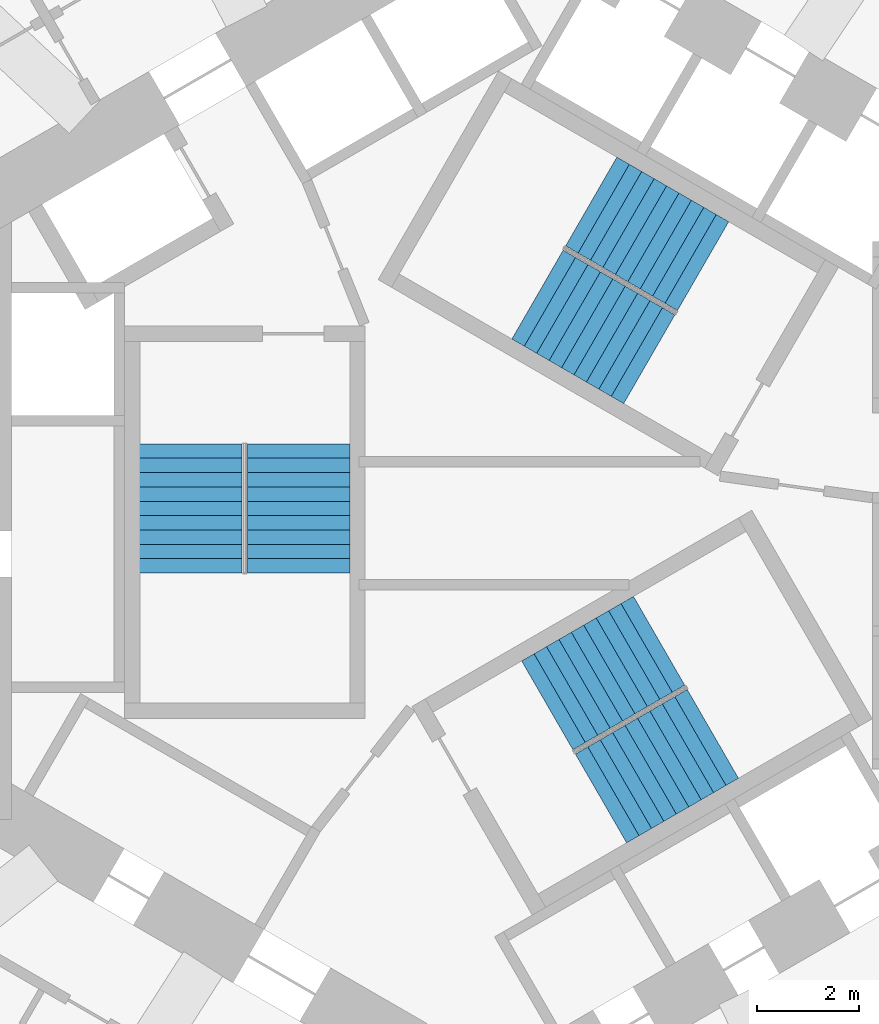
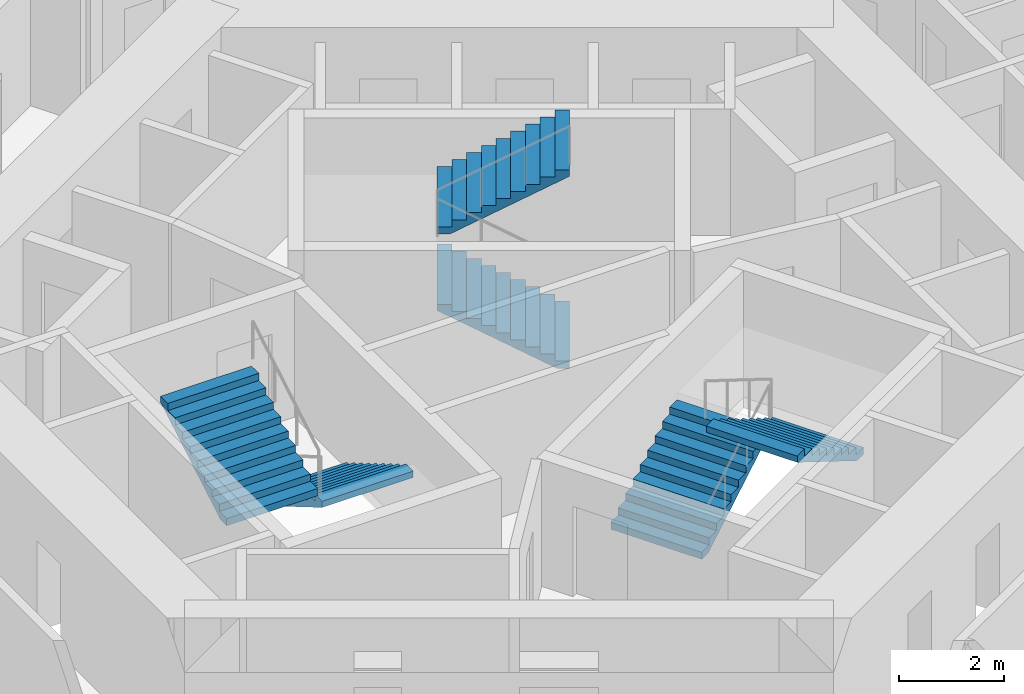
# One storey, part 10 of 12: 6 stair flights, 3 elements without a shape of their own.
"""IFC4 building model written with IfcOpenShell, lengths in metres."""

from ifc_helpers import new_model, si_unit, direction, frame, origin, place, context, subcontext, project, spatial, triangles, source, transform, mapped, material, type_object, element, aggregate, save


model = new_model("IFC4")

# Units and contexts
model_context = context("Model", 3, precision=1e-05, world=origin(), true_north=direction((0.0, 1.0)))
body_context = subcontext(model_context, "Body", "Model", "MODEL_VIEW")
ifc_project = project(units=[si_unit("LENGTHUNIT", "METRE"), si_unit("AREAUNIT", "SQUARE_METRE"), si_unit("VOLUMEUNIT", "CUBIC_METRE"), si_unit("PLANEANGLEUNIT", "RADIAN"), si_unit("MASSUNIT", "GRAM", prefix="KILO")], contexts=[model_context])

# Site, building, storey
site_placement = place(None, origin())
site = spatial("IfcSite", under=ifc_project, at=site_placement, CompositionType="ELEMENT")
building_placement = place(site_placement, origin())
building = spatial("IfcBuilding", under=site, at=building_placement, Name="Vanh Sen Convention Tower", CompositionType="ELEMENT")
storey_placement = place(building_placement, frame((0.0, 0.0, 73.699951171875)))
storey = spatial("IfcBuildingStorey", under=building, at=storey_placement, Name="L16", CompositionType="ELEMENT", Elevation=73.699951171875)

# Stair, stair flights
ifc_material_1 = material(Name="Concrete C50/60", Category="concrete")
stair_type_1 = type_object("IfcStairType", Name="Exit stair ST1 20 risers at 165.0", PredefinedType="HALF_TURN_STAIR", material=ifc_material_1)
stair_1_placement = place(storey_placement, origin())
stair_1 = element("IfcStair", 1, at=stair_1_placement, inside=storey, type_object=stair_type_1, Name="Exit stair ST1 L16", PredefinedType="HALF_TURN_STAIR")
ifc_material_2 = material(Name="Concrete C40/50", Category="concrete")
stair_flight_type = type_object("IfcStairFlightType", Name="Stair flight 2000", PredefinedType="STRAIGHT", material=ifc_material_2)
shared_shape = source(origin(), body_context, "Body", "Tessellation", [
    triangles([(0.24609375, 1.0, 0.0), (0.0, 1.0, 0.0), (0.0, 1.0, 0.1650390625), (0.280029296875, 1.0, 0.1650390625), (0.280029296875, 1.0, 0.330078125), (0.56005859375, 1.0, 0.330078125), (0.56005859375, 1.0, 0.4951171875), (0.840087890625, 1.0, 0.4951171875), (0.840087890625, 1.0, 0.659912109375), (1.1201171875, 1.0, 0.659912109375), (1.1201171875, 1.0, 0.824951171875), (1.39990234375, 1.0, 0.824951171875), (1.39990234375, 1.0, 0.989990234375), (1.679931640625, 1.0, 0.989990234375), (1.679931640625, 1.0, 1.155029296875), (1.9599609375, 1.0, 1.155029296875), (1.9599609375, 1.0, 1.320068359375), (2.239990234375, 1.0, 1.320068359375), (2.239990234375, 1.0, 1.485107421875), (2.52001953125, 1.0, 1.485107421875), (2.52001953125, 1.0, 1.33984375), (0.24609375, -1.0, 0.0), (0.0, -1.0, 0.0), (0.0, -1.0, 0.1650390625), (0.280029296875, -1.0, 0.1650390625), (0.280029296875, -1.0, 0.330078125), (0.56005859375, -1.0, 0.330078125), (0.56005859375, -1.0, 0.4951171875), (0.840087890625, -1.0, 0.4951171875), (0.840087890625, -1.0, 0.659912109375), (1.1201171875, -1.0, 0.659912109375), (1.1201171875, -1.0, 0.824951171875), (1.39990234375, -1.0, 0.824951171875), (1.39990234375, -1.0, 0.989990234375), (1.679931640625, -1.0, 0.989990234375), (1.679931640625, -1.0, 1.155029296875), (1.9599609375, -1.0, 1.155029296875), (1.9599609375, -1.0, 1.320068359375), (2.239990234375, -1.0, 1.320068359375), (2.239990234375, -1.0, 1.485107421875), (2.52001953125, -1.0, 1.485107421875), (2.52001953125, -1.0, 1.33984375), (0.0, 0.0400390625, 0.0), (0.0, 0.0390625, 0.0), (0.0, 0.0380859375, 0.0), (0.0, 0.037109375, 0.0), (0.0, 0.035888671875, 0.0), (0.0, 0.034912109375, 0.0), (0.0, 0.033935546875, 0.0), (0.0, 0.032958984375, 0.0), (0.0, 0.031982421875, 0.0), (0.0, 0.031005859375, 0.0), (0.0, 0.030029296875, 0.0), (0.0, 0.029052734375, 0.0), (0.0, 0.028076171875, 0.0), (0.0, 0.027099609375, 0.0), (0.0, 0.02587890625, 0.0), (0.0, 0.02490234375, 0.0), (0.0, 0.02392578125, 0.0), (0.0, 0.02294921875, 0.0), (0.0, 0.02197265625, 0.0), (0.0, 0.02099609375, 0.0), (0.0, 0.02001953125, 0.0), (0.0, 0.01904296875, 0.0), (0.0, 0.01806640625, 0.0), (0.0, 0.01708984375, 0.0), (0.0, 0.01611328125, 0.0), (0.0, 0.014892578125, 0.0), (0.0, 0.013916015625, 0.0), (0.0, 0.012939453125, 0.0), (0.0, 0.011962890625, 0.0), (0.0, 0.010986328125, 0.0), (0.0, 0.010009765625, 0.0), (0.0, 0.009033203125, 0.0), (0.0, 0.008056640625, 0.0), (0.0, 0.007080078125, 0.0), (0.0, 0.006103515625, 0.0), (0.0, 0.0048828125, 0.0), (0.0, 0.00390625, 0.0), (0.0, 0.0029296875, 0.0), (0.0, 0.001953125, 0.0), (0.0, 0.0009765625, 0.0), (0.0, 0.0, 0.0), (0.0, -0.0009765625, 0.0), (0.0, -0.001953125, 0.0), (0.0, -0.0029296875, 0.0), (0.0, -0.00390625, 0.0), (0.0, -0.0048828125, 0.0), (0.0, -0.006103515625, 0.0), (0.0, -0.007080078125, 0.0), (0.0, -0.008056640625, 0.0), (0.0, -0.009033203125, 0.0), (0.0, -0.010009765625, 0.0), (0.0, -0.010986328125, 0.0), (0.0, -0.011962890625, 0.0), (0.0, -0.012939453125, 0.0), (0.0, -0.013916015625, 0.0), (0.0, -0.014892578125, 0.0), (0.0, -0.01611328125, 0.0), (0.0, -0.01708984375, 0.0), (0.0, -0.01806640625, 0.0), (0.0, -0.01904296875, 0.0), (0.0, -0.02001953125, 0.0), (0.0, -0.02099609375, 0.0), (0.0, -0.02197265625, 0.0), (0.0, -0.02294921875, 0.0), (0.0, -0.02392578125, 0.0), (0.0, -0.02490234375, 0.0), (0.0, -0.02587890625, 0.0), (0.0, -0.027099609375, 0.0), (0.0, -0.028076171875, 0.0), (0.0, -0.029052734375, 0.0), (0.0, -0.030029296875, 0.0), (0.0, -0.031005859375, 0.0), (0.0, -0.031982421875, 0.0), (0.0, -0.032958984375, 0.0), (0.0, -0.033935546875, 0.0), (0.0, -0.034912109375, 0.0), (0.0, -0.035888671875, 0.0), (0.0, -0.037109375, 0.0), (0.0, -0.0380859375, 0.0), (0.0, -0.0390625, 0.0), (0.0, -0.0400390625, 0.0), (0.0, 0.0400390625, 0.1650390625), (0.0, 0.0390625, 0.1650390625), (0.0, 0.0380859375, 0.1650390625), (0.0, 0.037109375, 0.1650390625), (0.0, 0.035888671875, 0.1650390625), (0.0, 0.034912109375, 0.1650390625), (0.0, 0.033935546875, 0.1650390625), (0.0, 0.032958984375, 0.1650390625), (0.0, 0.031982421875, 0.1650390625), (0.0, 0.031005859375, 0.1650390625), (0.0, 0.030029296875, 0.1650390625), (0.0, 0.029052734375, 0.1650390625), (0.0, 0.028076171875, 0.1650390625), (0.0, 0.027099609375, 0.1650390625), (0.0, 0.02587890625, 0.1650390625), (0.0, 0.02490234375, 0.1650390625), (0.0, 0.02392578125, 0.1650390625), (0.0, 0.02294921875, 0.1650390625), (0.0, 0.02197265625, 0.1650390625), (0.0, 0.02099609375, 0.1650390625), (0.0, 0.02001953125, 0.1650390625), (0.0, 0.01904296875, 0.1650390625), (0.0, 0.01806640625, 0.1650390625), (0.0, 0.01708984375, 0.1650390625), (0.0, 0.01611328125, 0.1650390625), (0.0, 0.014892578125, 0.1650390625), (0.0, 0.013916015625, 0.1650390625), (0.0, 0.012939453125, 0.1650390625), (0.0, 0.011962890625, 0.1650390625), (0.0, 0.010986328125, 0.1650390625), (0.0, 0.010009765625, 0.1650390625), (0.0, 0.009033203125, 0.1650390625), (0.0, 0.008056640625, 0.1650390625), (0.0, 0.007080078125, 0.1650390625), (0.0, 0.006103515625, 0.1650390625), (0.0, 0.0048828125, 0.1650390625), (0.0, 0.00390625, 0.1650390625), (0.0, 0.0029296875, 0.1650390625), (0.0, 0.001953125, 0.1650390625), (0.0, 0.0009765625, 0.1650390625), (0.0, 0.0, 0.1650390625), (0.0, -0.0009765625, 0.1650390625), (0.0, -0.001953125, 0.1650390625), (0.0, -0.0029296875, 0.1650390625), (0.0, -0.00390625, 0.1650390625), (0.0, -0.0048828125, 0.1650390625), (0.0, -0.006103515625, 0.1650390625), (0.0, -0.007080078125, 0.1650390625), (0.0, -0.008056640625, 0.1650390625), (0.0, -0.009033203125, 0.1650390625), (0.0, -0.010009765625, 0.1650390625), (0.0, -0.010986328125, 0.1650390625), (0.0, -0.011962890625, 0.1650390625), (0.0, -0.012939453125, 0.1650390625), (0.0, -0.013916015625, 0.1650390625), (0.0, -0.014892578125, 0.1650390625), (0.0, -0.01611328125, 0.1650390625), (0.0, -0.01708984375, 0.1650390625), (0.0, -0.01806640625, 0.1650390625), (0.0, -0.01904296875, 0.1650390625), (0.0, -0.02001953125, 0.1650390625), (0.0, -0.02099609375, 0.1650390625), (0.0, -0.02197265625, 0.1650390625), (0.0, -0.02294921875, 0.1650390625), (0.0, -0.02392578125, 0.1650390625), (0.0, -0.02490234375, 0.1650390625), (0.0, -0.02587890625, 0.1650390625), (0.0, -0.027099609375, 0.1650390625), (0.0, -0.028076171875, 0.1650390625), (0.0, -0.029052734375, 0.1650390625), (0.0, -0.030029296875, 0.1650390625), (0.0, -0.031005859375, 0.1650390625), (0.0, -0.031982421875, 0.1650390625), (0.0, -0.032958984375, 0.1650390625), (0.0, -0.033935546875, 0.1650390625), (0.0, -0.034912109375, 0.1650390625), (0.0, -0.035888671875, 0.1650390625), (0.0, -0.037109375, 0.1650390625), (0.0, -0.0380859375, 0.1650390625), (0.0, -0.0390625, 0.1650390625), (0.0, -0.0400390625, 0.1650390625), (0.280029296875, 0.0, 0.1650390625), (0.280029296875, 0.0, 0.330078125), (0.56005859375, 0.0, 0.330078125), (0.56005859375, 0.0, 0.4951171875), (0.840087890625, 0.0, 0.4951171875), (0.840087890625, 0.0, 0.659912109375), (1.1201171875, 0.0, 0.659912109375), (1.1201171875, 0.0, 0.824951171875), (1.39990234375, 0.0, 0.824951171875), (1.39990234375, 0.0, 0.989990234375), (1.679931640625, 0.0, 0.989990234375), (1.679931640625, 0.0, 1.155029296875), (1.9599609375, 0.0, 1.155029296875), (1.9599609375, 0.0, 1.320068359375), (2.239990234375, 0.0, 1.320068359375), (2.239990234375, 0.0, 1.485107421875), (2.52001953125, 0.0400390625, 1.485107421875), (2.52001953125, 0.0390625, 1.485107421875), (2.52001953125, 0.0380859375, 1.485107421875), (2.52001953125, 0.037109375, 1.485107421875), (2.52001953125, 0.035888671875, 1.485107421875), (2.52001953125, 0.034912109375, 1.485107421875), (2.52001953125, 0.033935546875, 1.485107421875), (2.52001953125, 0.032958984375, 1.485107421875), (2.52001953125, 0.031982421875, 1.485107421875), (2.52001953125, 0.031005859375, 1.485107421875), (2.52001953125, 0.030029296875, 1.485107421875), (2.52001953125, 0.029052734375, 1.485107421875), (2.52001953125, 0.028076171875, 1.485107421875), (2.52001953125, 0.027099609375, 1.485107421875), (2.52001953125, 0.02587890625, 1.485107421875), (2.52001953125, 0.02490234375, 1.485107421875), (2.52001953125, 0.02392578125, 1.485107421875), (2.52001953125, 0.02294921875, 1.485107421875), (2.52001953125, 0.02197265625, 1.485107421875), (2.52001953125, 0.02099609375, 1.485107421875), (2.52001953125, 0.02001953125, 1.485107421875), (2.52001953125, 0.01904296875, 1.485107421875), (2.52001953125, 0.01806640625, 1.485107421875), (2.52001953125, 0.01708984375, 1.485107421875), (2.52001953125, 0.01611328125, 1.485107421875), (2.52001953125, 0.014892578125, 1.485107421875), (2.52001953125, 0.013916015625, 1.485107421875), (2.52001953125, 0.012939453125, 1.485107421875), (2.52001953125, 0.011962890625, 1.485107421875), (2.52001953125, 0.010986328125, 1.485107421875), (2.52001953125, 0.010009765625, 1.485107421875), (2.52001953125, 0.009033203125, 1.485107421875), (2.52001953125, 0.008056640625, 1.485107421875), (2.52001953125, 0.007080078125, 1.485107421875), (2.52001953125, 0.006103515625, 1.485107421875), (2.52001953125, 0.0048828125, 1.485107421875), (2.52001953125, 0.00390625, 1.485107421875), (2.52001953125, 0.0029296875, 1.485107421875), (2.52001953125, 0.001953125, 1.485107421875), (2.52001953125, 0.0009765625, 1.485107421875), (2.52001953125, 0.0, 1.485107421875), (2.52001953125, -0.0009765625, 1.485107421875), (2.52001953125, -0.001953125, 1.485107421875), (2.52001953125, -0.0029296875, 1.485107421875), (2.52001953125, -0.00390625, 1.485107421875), (2.52001953125, -0.0048828125, 1.485107421875), (2.52001953125, -0.006103515625, 1.485107421875), (2.52001953125, -0.007080078125, 1.485107421875), (2.52001953125, -0.008056640625, 1.485107421875), (2.52001953125, -0.009033203125, 1.485107421875), (2.52001953125, -0.010009765625, 1.485107421875), (2.52001953125, -0.010986328125, 1.485107421875), (2.52001953125, -0.011962890625, 1.485107421875), (2.52001953125, -0.012939453125, 1.485107421875), (2.52001953125, -0.013916015625, 1.485107421875), (2.52001953125, -0.014892578125, 1.485107421875), (2.52001953125, -0.01611328125, 1.485107421875), (2.52001953125, -0.01708984375, 1.485107421875), (2.52001953125, -0.01806640625, 1.485107421875), (2.52001953125, -0.01904296875, 1.485107421875), (2.52001953125, -0.02001953125, 1.485107421875), (2.52001953125, -0.02099609375, 1.485107421875), (2.52001953125, -0.02197265625, 1.485107421875), (2.52001953125, -0.02294921875, 1.485107421875), (2.52001953125, -0.02392578125, 1.485107421875), (2.52001953125, -0.02490234375, 1.485107421875), (2.52001953125, -0.02587890625, 1.485107421875), (2.52001953125, -0.027099609375, 1.485107421875), (2.52001953125, -0.028076171875, 1.485107421875), (2.52001953125, -0.029052734375, 1.485107421875), (2.52001953125, -0.030029296875, 1.485107421875), (2.52001953125, -0.031005859375, 1.485107421875), (2.52001953125, -0.031982421875, 1.485107421875), (2.52001953125, -0.032958984375, 1.485107421875), (2.52001953125, -0.033935546875, 1.485107421875), (2.52001953125, -0.034912109375, 1.485107421875), (2.52001953125, -0.035888671875, 1.485107421875), (2.52001953125, -0.037109375, 1.485107421875), (2.52001953125, -0.0380859375, 1.485107421875), (2.52001953125, -0.0390625, 1.485107421875), (2.52001953125, -0.0400390625, 1.485107421875), (2.52001953125, 0.0400390625, 1.33984375), (2.52001953125, 0.0390625, 1.33984375), (2.52001953125, 0.0380859375, 1.33984375), (2.52001953125, 0.037109375, 1.33984375), (2.52001953125, 0.035888671875, 1.33984375), (2.52001953125, 0.034912109375, 1.33984375), (2.52001953125, 0.033935546875, 1.33984375), (2.52001953125, 0.032958984375, 1.33984375), (2.52001953125, 0.031982421875, 1.33984375), (2.52001953125, 0.031005859375, 1.33984375), (2.52001953125, 0.030029296875, 1.33984375), (2.52001953125, 0.029052734375, 1.33984375), (2.52001953125, 0.028076171875, 1.33984375), (2.52001953125, 0.027099609375, 1.33984375), (2.52001953125, 0.02587890625, 1.33984375), (2.52001953125, 0.02490234375, 1.33984375), (2.52001953125, 0.02392578125, 1.33984375), (2.52001953125, 0.02294921875, 1.33984375), (2.52001953125, 0.02197265625, 1.33984375), (2.52001953125, 0.02099609375, 1.33984375), (2.52001953125, 0.02001953125, 1.33984375), (2.52001953125, 0.01904296875, 1.33984375), (2.52001953125, 0.01806640625, 1.33984375), (2.52001953125, 0.01708984375, 1.33984375), (2.52001953125, 0.01611328125, 1.33984375), (2.52001953125, 0.014892578125, 1.33984375), (2.52001953125, 0.013916015625, 1.33984375), (2.52001953125, 0.012939453125, 1.33984375), (2.52001953125, 0.011962890625, 1.33984375), (2.52001953125, 0.010986328125, 1.33984375), (2.52001953125, 0.010009765625, 1.33984375), (2.52001953125, 0.009033203125, 1.33984375), (2.52001953125, 0.008056640625, 1.33984375), (2.52001953125, 0.007080078125, 1.33984375), (2.52001953125, 0.006103515625, 1.33984375), (2.52001953125, 0.0048828125, 1.33984375), (2.52001953125, 0.00390625, 1.33984375), (2.52001953125, 0.0029296875, 1.33984375), (2.52001953125, 0.001953125, 1.33984375), (2.52001953125, 0.0009765625, 1.33984375), (2.52001953125, 0.0, 1.33984375), (2.52001953125, -0.0009765625, 1.33984375), (2.52001953125, -0.001953125, 1.33984375), (2.52001953125, -0.0029296875, 1.33984375), (2.52001953125, -0.00390625, 1.33984375), (2.52001953125, -0.0048828125, 1.33984375), (2.52001953125, -0.006103515625, 1.33984375), (2.52001953125, -0.007080078125, 1.33984375), (2.52001953125, -0.008056640625, 1.33984375), (2.52001953125, -0.009033203125, 1.33984375), (2.52001953125, -0.010009765625, 1.33984375), (2.52001953125, -0.010986328125, 1.33984375), (2.52001953125, -0.011962890625, 1.33984375), (2.52001953125, -0.012939453125, 1.33984375), (2.52001953125, -0.013916015625, 1.33984375), (2.52001953125, -0.014892578125, 1.33984375), (2.52001953125, -0.01611328125, 1.33984375), (2.52001953125, -0.01708984375, 1.33984375), (2.52001953125, -0.01806640625, 1.33984375), (2.52001953125, -0.01904296875, 1.33984375), (2.52001953125, -0.02001953125, 1.33984375), (2.52001953125, -0.02099609375, 1.33984375), (2.52001953125, -0.02197265625, 1.33984375), (2.52001953125, -0.02294921875, 1.33984375), (2.52001953125, -0.02392578125, 1.33984375), (2.52001953125, -0.02490234375, 1.33984375), (2.52001953125, -0.02587890625, 1.33984375), (2.52001953125, -0.027099609375, 1.33984375), (2.52001953125, -0.028076171875, 1.33984375), (2.52001953125, -0.029052734375, 1.33984375), (2.52001953125, -0.030029296875, 1.33984375), (2.52001953125, -0.031005859375, 1.33984375), (2.52001953125, -0.031982421875, 1.33984375), (2.52001953125, -0.032958984375, 1.33984375), (2.52001953125, -0.033935546875, 1.33984375), (2.52001953125, -0.034912109375, 1.33984375), (2.52001953125, -0.035888671875, 1.33984375), (2.52001953125, -0.037109375, 1.33984375), (2.52001953125, -0.0380859375, 1.33984375), (2.52001953125, -0.0390625, 1.33984375), (2.52001953125, -0.0400390625, 1.33984375), (0.24609375, 0.0, 0.0)], [[1, 2, 3], [1, 3, 4], [4, 5, 6], [1, 4, 6], [6, 7, 8], [1, 6, 8], [8, 9, 10], [1, 8, 10], [10, 11, 12], [1, 10, 12], [12, 13, 14], [1, 12, 14], [14, 15, 16], [1, 14, 16], [16, 17, 18], [1, 16, 18], [18, 19, 20], [1, 18, 20], [20, 21, 1], [22, 24, 23], [22, 25, 24], [25, 27, 26], [22, 27, 25], [27, 29, 28], [22, 29, 27], [29, 31, 30], [22, 31, 29], [31, 33, 32], [22, 33, 31], [33, 35, 34], [22, 35, 33], [35, 37, 36], [22, 37, 35], [37, 39, 38], [22, 39, 37], [39, 41, 40], [22, 41, 39], [41, 22, 42], [2, 124, 3], [2, 43, 124], [43, 125, 124], [43, 44, 125], [44, 126, 125], [44, 45, 126], [45, 127, 126], [45, 46, 127], [46, 128, 127], [46, 47, 128], [47, 129, 128], [47, 48, 129], [48, 130, 129], [48, 49, 130], [49, 131, 130], [49, 50, 131], [50, 132, 131], [50, 51, 132], [51, 133, 132], [51, 52, 133], [52, 134, 133], [52, 53, 134], [53, 135, 134], [53, 54, 135], [54, 136, 135], [54, 55, 136], [55, 137, 136], [55, 56, 137], [56, 138, 137], [56, 57, 138], [57, 139, 138], [57, 58, 139], [58, 140, 139], [58, 59, 140], [59, 141, 140], [59, 60, 141], [60, 142, 141], [60, 61, 142], [61, 143, 142], [61, 62, 143], [62, 144, 143], [62, 63, 144], [63, 145, 144], [63, 64, 145], [64, 146, 145], [64, 65, 146], [65, 147, 146], [65, 66, 147], [66, 148, 147], [66, 67, 148], [67, 149, 148], [67, 68, 149], [68, 150, 149], [68, 69, 150], [69, 151, 150], [69, 70, 151], [70, 152, 151], [70, 71, 152], [71, 153, 152], [71, 72, 153], [72, 154, 153], [72, 73, 154], [73, 155, 154], [73, 74, 155], [74, 156, 155], [74, 75, 156], [75, 157, 156], [75, 76, 157], [76, 158, 157], [76, 77, 158], [77, 159, 158], [77, 78, 159], [78, 160, 159], [78, 79, 160], [79, 161, 160], [79, 80, 161], [80, 162, 161], [80, 81, 162], [81, 163, 162], [81, 82, 163], [82, 164, 163], [82, 83, 164], [83, 84, 164], [164, 84, 165], [84, 85, 165], [165, 85, 166], [85, 86, 166], [166, 86, 167], [86, 87, 167], [167, 87, 168], [87, 88, 168], [168, 88, 169], [88, 89, 169], [169, 89, 170], [89, 90, 170], [170, 90, 171], [90, 91, 171], [171, 91, 172], [91, 92, 172], [172, 92, 173], [92, 93, 173], [173, 93, 174], [93, 94, 174], [174, 94, 175], [94, 95, 175], [175, 95, 176], [95, 96, 176], [176, 96, 177], [96, 97, 177], [177, 97, 178], [97, 98, 178], [178, 98, 179], [98, 99, 179], [179, 99, 180], [99, 100, 180], [180, 100, 181], [100, 101, 181], [181, 101, 182], [101, 102, 182], [182, 102, 183], [102, 103, 183], [183, 103, 184], [103, 104, 184], [184, 104, 185], [104, 105, 185], [185, 105, 186], [105, 106, 186], [186, 106, 187], [106, 107, 187], [187, 107, 188], [107, 108, 188], [188, 108, 189], [108, 109, 189], [189, 109, 190], [109, 110, 190], [190, 110, 191], [110, 111, 191], [191, 111, 192], [111, 112, 192], [192, 112, 193], [112, 113, 193], [193, 113, 194], [113, 114, 194], [194, 114, 195], [114, 115, 195], [195, 115, 196], [115, 116, 196], [196, 116, 197], [116, 117, 197], [197, 117, 198], [117, 118, 198], [198, 118, 199], [118, 119, 199], [199, 119, 200], [119, 120, 200], [200, 120, 201], [120, 121, 201], [201, 121, 202], [121, 122, 202], [202, 122, 203], [122, 123, 203], [203, 123, 204], [123, 23, 204], [204, 23, 24], [4, 3, 124], [4, 124, 125], [4, 125, 126], [4, 126, 127], [4, 127, 128], [4, 128, 129], [4, 129, 130], [4, 130, 131], [4, 131, 132], [4, 132, 133], [4, 133, 134], [4, 134, 135], [4, 135, 136], [4, 136, 137], [4, 137, 138], [4, 138, 139], [4, 139, 140], [4, 140, 141], [4, 141, 142], [4, 142, 143], [4, 143, 144], [4, 144, 145], [4, 145, 146], [4, 146, 147], [4, 147, 148], [4, 148, 149], [4, 149, 150], [4, 150, 151], [4, 151, 152], [4, 152, 153], [4, 153, 154], [4, 154, 155], [4, 155, 156], [4, 156, 157], [4, 157, 158], [4, 158, 159], [4, 159, 160], [4, 160, 161], [4, 161, 162], [4, 162, 163], [4, 163, 164], [25, 164, 165], [25, 165, 166], [25, 166, 167], [25, 167, 168], [25, 168, 169], [25, 169, 170], [25, 170, 171], [25, 171, 172], [25, 172, 173], [25, 173, 174], [25, 174, 175], [25, 175, 176], [25, 176, 177], [25, 177, 178], [25, 178, 179], [25, 179, 180], [25, 180, 181], [25, 181, 182], [25, 182, 183], [25, 183, 184], [25, 184, 185], [25, 185, 186], [25, 186, 187], [25, 187, 188], [25, 188, 189], [25, 189, 190], [25, 190, 191], [25, 191, 192], [25, 192, 193], [25, 193, 194], [25, 194, 195], [25, 195, 196], [25, 196, 197], [25, 197, 198], [25, 198, 199], [25, 199, 200], [25, 200, 201], [25, 201, 202], [25, 202, 203], [25, 203, 204], [25, 204, 24], [4, 164, 205], [25, 205, 164], [4, 206, 5], [4, 205, 206], [205, 25, 206], [206, 25, 26], [5, 207, 6], [5, 206, 207], [206, 26, 207], [207, 26, 27], [6, 208, 7], [6, 207, 208], [207, 27, 208], [208, 27, 28], [7, 209, 8], [7, 208, 209], [208, 28, 209], [209, 28, 29], [8, 210, 9], [8, 209, 210], [209, 29, 210], [210, 29, 30], [9, 211, 10], [9, 210, 211], [210, 30, 211], [211, 30, 31], [10, 212, 11], [10, 211, 212], [211, 31, 212], [212, 31, 32], [11, 213, 12], [11, 212, 213], [212, 32, 213], [213, 32, 33], [12, 214, 13], [12, 213, 214], [213, 33, 214], [214, 33, 34], [13, 215, 14], [13, 214, 215], [214, 34, 215], [215, 34, 35], [14, 216, 15], [14, 215, 216], [215, 35, 216], [216, 35, 36], [15, 217, 16], [15, 216, 217], [216, 36, 217], [217, 36, 37], [16, 218, 17], [16, 217, 218], [217, 37, 218], [218, 37, 38], [17, 219, 18], [17, 218, 219], [218, 38, 219], [219, 38, 39], [18, 220, 19], [18, 219, 220], [219, 39, 220], [220, 39, 40], [19, 221, 20], [19, 222, 221], [19, 223, 222], [19, 224, 223], [19, 225, 224], [19, 226, 225], [19, 227, 226], [19, 228, 227], [19, 229, 228], [19, 230, 229], [19, 231, 230], [19, 232, 231], [19, 233, 232], [19, 234, 233], [19, 235, 234], [19, 236, 235], [19, 237, 236], [19, 238, 237], [19, 239, 238], [19, 240, 239], [19, 241, 240], [19, 242, 241], [19, 243, 242], [19, 244, 243], [19, 245, 244], [19, 246, 245], [19, 247, 246], [19, 248, 247], [19, 249, 248], [19, 250, 249], [19, 251, 250], [19, 252, 251], [19, 253, 252], [19, 254, 253], [19, 255, 254], [19, 256, 255], [19, 257, 256], [19, 258, 257], [19, 259, 258], [19, 260, 259], [19, 261, 260], [40, 262, 261], [40, 263, 262], [40, 264, 263], [40, 265, 264], [40, 266, 265], [40, 267, 266], [40, 268, 267], [40, 269, 268], [40, 270, 269], [40, 271, 270], [40, 272, 271], [40, 273, 272], [40, 274, 273], [40, 275, 274], [40, 276, 275], [40, 277, 276], [40, 278, 277], [40, 279, 278], [40, 280, 279], [40, 281, 280], [40, 282, 281], [40, 283, 282], [40, 284, 283], [40, 285, 284], [40, 286, 285], [40, 287, 286], [40, 288, 287], [40, 289, 288], [40, 290, 289], [40, 291, 290], [40, 292, 291], [40, 293, 292], [40, 294, 293], [40, 295, 294], [40, 296, 295], [40, 297, 296], [40, 298, 297], [40, 299, 298], [40, 300, 299], [40, 301, 300], [40, 41, 301], [19, 220, 261], [40, 261, 220], [20, 302, 21], [20, 221, 302], [221, 303, 302], [221, 222, 303], [222, 304, 303], [222, 223, 304], [223, 305, 304], [223, 224, 305], [224, 306, 305], [224, 225, 306], [225, 307, 306], [225, 226, 307], [226, 308, 307], [226, 227, 308], [227, 309, 308], [227, 228, 309], [228, 310, 309], [228, 229, 310], [229, 311, 310], [229, 230, 311], [230, 312, 311], [230, 231, 312], [231, 313, 312], [231, 232, 313], [232, 314, 313], [232, 233, 314], [233, 315, 314], [233, 234, 315], [234, 316, 315], [234, 235, 316], [235, 317, 316], [235, 236, 317], [236, 318, 317], [236, 237, 318], [237, 319, 318], [237, 238, 319], [238, 320, 319], [238, 239, 320], [239, 321, 320], [239, 240, 321], [240, 322, 321], [240, 241, 322], [241, 323, 322], [241, 242, 323], [242, 324, 323], [242, 243, 324], [243, 325, 324], [243, 244, 325], [244, 326, 325], [244, 245, 326], [245, 327, 326], [245, 246, 327], [246, 328, 327], [246, 247, 328], [247, 329, 328], [247, 248, 329], [248, 330, 329], [248, 249, 330], [249, 331, 330], [249, 250, 331], [250, 332, 331], [250, 251, 332], [251, 333, 332], [251, 252, 333], [252, 334, 333], [252, 253, 334], [253, 335, 334], [253, 254, 335], [254, 336, 335], [254, 255, 336], [255, 337, 336], [255, 256, 337], [256, 338, 337], [256, 257, 338], [257, 339, 338], [257, 258, 339], [258, 340, 339], [258, 259, 340], [259, 341, 340], [259, 260, 341], [260, 342, 341], [260, 261, 342], [261, 262, 342], [342, 262, 343], [262, 263, 343], [343, 263, 344], [263, 264, 344], [344, 264, 345], [264, 265, 345], [345, 265, 346], [265, 266, 346], [346, 266, 347], [266, 267, 347], [347, 267, 348], [267, 268, 348], [348, 268, 349], [268, 269, 349], [349, 269, 350], [269, 270, 350], [350, 270, 351], [270, 271, 351], [351, 271, 352], [271, 272, 352], [352, 272, 353], [272, 273, 353], [353, 273, 354], [273, 274, 354], [354, 274, 355], [274, 275, 355], [355, 275, 356], [275, 276, 356], [356, 276, 357], [276, 277, 357], [357, 277, 358], [277, 278, 358], [358, 278, 359], [278, 279, 359], [359, 279, 360], [279, 280, 360], [360, 280, 361], [280, 281, 361], [361, 281, 362], [281, 282, 362], [362, 282, 363], [282, 283, 363], [363, 283, 364], [283, 284, 364], [364, 284, 365], [284, 285, 365], [365, 285, 366], [285, 286, 366], [366, 286, 367], [286, 287, 367], [367, 287, 368], [287, 288, 368], [368, 288, 369], [288, 289, 369], [369, 289, 370], [289, 290, 370], [370, 290, 371], [290, 291, 371], [371, 291, 372], [291, 292, 372], [372, 292, 373], [292, 293, 373], [373, 293, 374], [293, 294, 374], [374, 294, 375], [294, 295, 375], [375, 295, 376], [295, 296, 376], [376, 296, 377], [296, 297, 377], [377, 297, 378], [297, 298, 378], [378, 298, 379], [298, 299, 379], [379, 299, 380], [299, 300, 380], [380, 300, 381], [300, 301, 381], [381, 301, 382], [301, 41, 382], [382, 41, 42], [1, 21, 302], [1, 302, 303], [1, 303, 304], [1, 304, 305], [1, 305, 306], [1, 306, 307], [1, 307, 308], [1, 308, 309], [1, 309, 310], [1, 310, 311], [1, 311, 312], [1, 312, 313], [1, 313, 314], [1, 314, 315], [1, 315, 316], [1, 316, 317], [1, 317, 318], [1, 318, 319], [1, 319, 320], [1, 320, 321], [1, 321, 322], [1, 322, 323], [1, 323, 324], [1, 324, 325], [1, 325, 326], [1, 326, 327], [1, 327, 328], [1, 328, 329], [1, 329, 330], [1, 330, 331], [1, 331, 332], [1, 332, 333], [1, 333, 334], [1, 334, 335], [1, 335, 336], [1, 336, 337], [1, 337, 338], [1, 338, 339], [1, 339, 340], [1, 340, 341], [1, 341, 342], [22, 342, 343], [22, 343, 344], [22, 344, 345], [22, 345, 346], [22, 346, 347], [22, 347, 348], [22, 348, 349], [22, 349, 350], [22, 350, 351], [22, 351, 352], [22, 352, 353], [22, 353, 354], [22, 354, 355], [22, 355, 356], [22, 356, 357], [22, 357, 358], [22, 358, 359], [22, 359, 360], [22, 360, 361], [22, 361, 362], [22, 362, 363], [22, 363, 364], [22, 364, 365], [22, 365, 366], [22, 366, 367], [22, 367, 368], [22, 368, 369], [22, 369, 370], [22, 370, 371], [22, 371, 372], [22, 372, 373], [22, 373, 374], [22, 374, 375], [22, 375, 376], [22, 376, 377], [22, 377, 378], [22, 378, 379], [22, 379, 380], [22, 380, 381], [22, 381, 382], [22, 382, 42], [1, 342, 383], [22, 383, 342], [1, 43, 2], [1, 44, 43], [1, 45, 44], [1, 46, 45], [1, 47, 46], [1, 48, 47], [1, 49, 48], [1, 50, 49], [1, 51, 50], [1, 52, 51], [1, 53, 52], [1, 54, 53], [1, 55, 54], [1, 56, 55], [1, 57, 56], [1, 58, 57], [1, 59, 58], [1, 60, 59], [1, 61, 60], [1, 62, 61], [1, 63, 62], [1, 64, 63], [1, 65, 64], [1, 66, 65], [1, 67, 66], [1, 68, 67], [1, 69, 68], [1, 70, 69], [1, 71, 70], [1, 72, 71], [1, 73, 72], [1, 74, 73], [1, 75, 74], [1, 76, 75], [1, 77, 76], [1, 78, 77], [1, 79, 78], [1, 80, 79], [1, 81, 80], [1, 82, 81], [1, 83, 82], [22, 84, 83], [22, 85, 84], [22, 86, 85], [22, 87, 86], [22, 88, 87], [22, 89, 88], [22, 90, 89], [22, 91, 90], [22, 92, 91], [22, 93, 92], [22, 94, 93], [22, 95, 94], [22, 96, 95], [22, 97, 96], [22, 98, 97], [22, 99, 98], [22, 100, 99], [22, 101, 100], [22, 102, 101], [22, 103, 102], [22, 104, 103], [22, 105, 104], [22, 106, 105], [22, 107, 106], [22, 108, 107], [22, 109, 108], [22, 110, 109], [22, 111, 110], [22, 112, 111], [22, 113, 112], [22, 114, 113], [22, 115, 114], [22, 116, 115], [22, 117, 116], [22, 118, 117], [22, 119, 118], [22, 120, 119], [22, 121, 120], [22, 122, 121], [22, 123, 122], [22, 23, 123], [1, 383, 83], [22, 83, 383]], closed=True),
])
stair_flight_1_placement = place(storey_placement, frame((2.94580078125, 2.802490234375, 0.0), z_axis=(0.0, 0.0, 1.0), x_axis=(-0.866025403784, 0.5, 0.0)))
stair_flight_1 = element("IfcStairFlight", 2, at=stair_flight_1_placement, type_object=stair_flight_type, Name="ST1 flight 1", NumberOfRisers=10, NumberOfTreads=9, PredefinedType="STRAIGHT", RiserHeight=0.165, TreadLength=0.28, context=body_context, shape_type="MappedRepresentation", body=[
    mapped(shared_shape, transform((0.0, 0.0, 0.0))),
])
stair_flight_2_placement = place(storey_placement, frame((1.8134765625, 5.881103515625, 1.650146484375), z_axis=(0.0, 0.0, 1.0), x_axis=(0.866025403784, -0.5, 0.0)))
stair_flight_2 = element("IfcStairFlight", 3, at=stair_flight_2_placement, type_object=stair_flight_type, Name="ST1 flight 2", NumberOfRisers=10, NumberOfTreads=9, PredefinedType="STRAIGHT", RiserHeight=0.165, TreadLength=0.28, context=body_context, shape_type="MappedRepresentation", body=[
    mapped(shared_shape, transform((0.0, 0.0, 0.0))),
])
aggregate(stair_1, [stair_flight_1, stair_flight_2])

stair_type_2 = type_object("IfcStairType", Name="Exit stair ST2 20 risers at 165.0", PredefinedType="HALF_TURN_STAIR", material=ifc_material_1)
stair_2_placement = place(storey_placement, origin())
stair_2 = element("IfcStair", 4, at=stair_2_placement, inside=storey, type_object=stair_type_2, Name="Exit stair ST2 L16", PredefinedType="HALF_TURN_STAIR")
stair_flight_3_placement = place(storey_placement, frame((-3.89990234375, 1.14990234375, 0.0), z_axis=(0.0, 0.0, 1.0), x_axis=(0.0, -1.0, 0.0)))
stair_flight_3 = element("IfcStairFlight", 5, at=stair_flight_3_placement, type_object=stair_flight_type, Name="ST2 flight 1", NumberOfRisers=10, NumberOfTreads=9, PredefinedType="STRAIGHT", RiserHeight=0.165, TreadLength=0.28, context=body_context, shape_type="MappedRepresentation", body=[
    mapped(shared_shape, transform((0.0, 0.0, 0.0))),
])
stair_flight_4_placement = place(storey_placement, frame((-6.0, -1.3701171875, 1.650146484375), z_axis=(0.0, 0.0, 1.0), x_axis=(0.0, 1.0, 0.0)))
stair_flight_4 = element("IfcStairFlight", 6, at=stair_flight_4_placement, type_object=stair_flight_type, Name="ST2 flight 2", NumberOfRisers=10, NumberOfTreads=9, PredefinedType="STRAIGHT", RiserHeight=0.165, TreadLength=0.28, context=body_context, shape_type="MappedRepresentation", body=[
    mapped(shared_shape, transform((0.0, 0.0, 0.0))),
])
aggregate(stair_2, [stair_flight_3, stair_flight_4])

stair_type_3 = type_object("IfcStairType", Name="Exit stair ST3 20 risers at 165.0", PredefinedType="HALF_TURN_STAIR", material=ifc_material_1)
stair_3_placement = place(storey_placement, origin())
stair_3 = element("IfcStair", 7, at=stair_3_placement, inside=storey, type_object=stair_type_3, Name="Exit stair ST3 L16", PredefinedType="HALF_TURN_STAIR")
stair_flight_5_placement = place(storey_placement, frame((0.9541015625, -3.952392578125, 0.0), z_axis=(0.0, 0.0, 1.0), x_axis=(0.866025403784, 0.5, 0.0)))
stair_flight_5 = element("IfcStairFlight", 8, at=stair_flight_5_placement, type_object=stair_flight_type, Name="ST3 flight 1", NumberOfRisers=10, NumberOfTreads=9, PredefinedType="STRAIGHT", RiserHeight=0.165, TreadLength=0.28, context=body_context, shape_type="MappedRepresentation", body=[
    mapped(shared_shape, transform((0.0, 0.0, 0.0))),
])
stair_flight_6_placement = place(storey_placement, frame((4.1865234375, -4.51123046875, 1.650146484375), z_axis=(0.0, 0.0, 1.0), x_axis=(-0.866025403784, -0.5, 0.0)))
stair_flight_6 = element("IfcStairFlight", 9, at=stair_flight_6_placement, type_object=stair_flight_type, Name="ST3 flight 2", NumberOfRisers=10, NumberOfTreads=9, PredefinedType="STRAIGHT", RiserHeight=0.165, TreadLength=0.28, context=body_context, shape_type="MappedRepresentation", body=[
    mapped(shared_shape, transform((0.0, 0.0, 0.0))),
])
aggregate(stair_3, [stair_flight_5, stair_flight_6])

save(model, "model.ifc")
